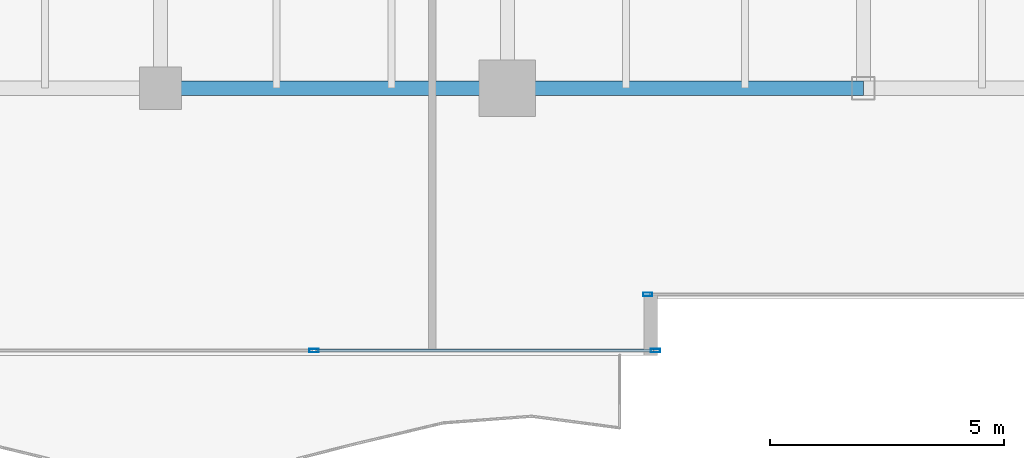
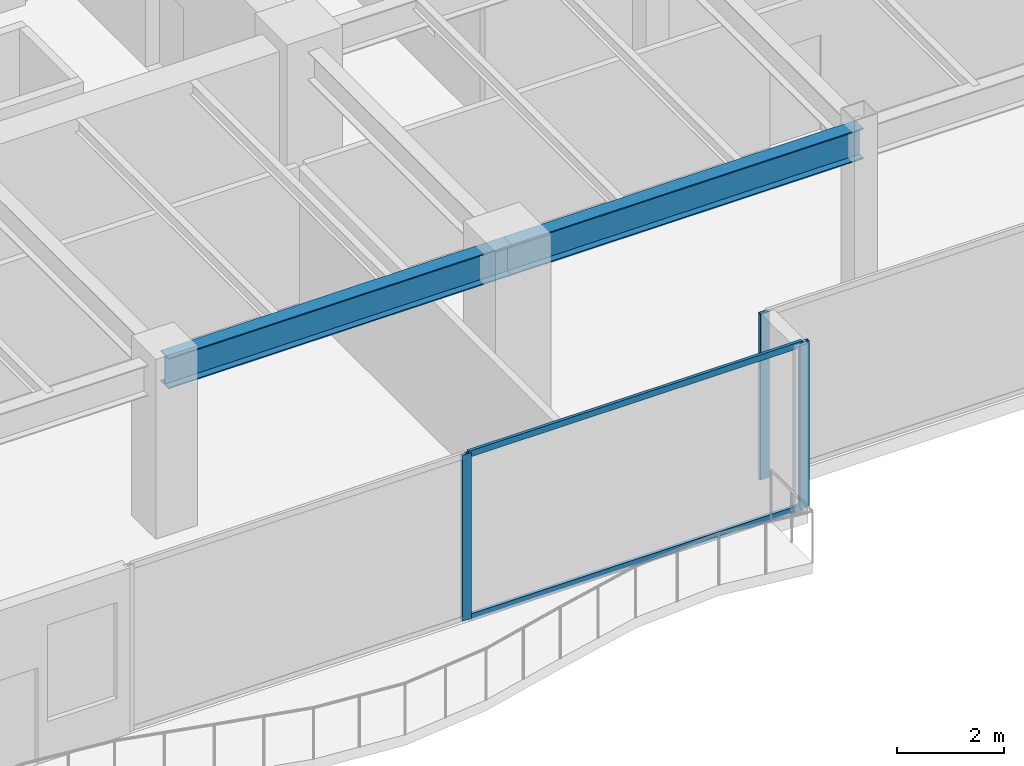
# One storey, part 4 of 30: 5 members, 2 beams, 2 elements without a shape of their own.
"""IFC4 building model written with IfcOpenShell, lengths in metres."""

from ifc_helpers import new_model, si_unit, direction, frame, origin, origin_2d, place, context, subcontext, project, spatial, hollow_rectangle, i_section, extrude, source, transform, mapped, material, layer, layer_set, material_profile, profile_set, type_object, type_shapes, element, aggregate, save


model = new_model("IFC4")

# Units and contexts
model_context = context("Model", 3, precision=1e-05, world=origin(), true_north=direction((0.0, 1.0)))
body_context = subcontext(model_context, "Body", "Model", "MODEL_VIEW")
ifc_project = project(units=[si_unit("LENGTHUNIT", "METRE"), si_unit("AREAUNIT", "SQUARE_METRE"), si_unit("VOLUMEUNIT", "CUBIC_METRE"), si_unit("PLANEANGLEUNIT", "RADIAN"), si_unit("MASSUNIT", "GRAM", prefix="KILO")], contexts=[model_context])

# Site, building, storey
site_placement = place(None, origin())
site = spatial("IfcSite", under=ifc_project, at=site_placement, CompositionType="ELEMENT")
building_placement = place(site_placement, origin())
building = spatial("IfcBuilding", under=site, at=building_placement, Name="Haelvirn Gate Laboratories", CompositionType="ELEMENT")
storey_placement = place(building_placement, frame((0.0, 0.0, 113.300048828125)))
storey = spatial("IfcBuildingStorey", under=building, at=storey_placement, Name="L27", CompositionType="ELEMENT", Elevation=113.300048828125)

# Beams
ifc_material_1 = material(Name="Steel SM355", Category="steel")
ifc_material_profile_1 = material_profile(ifc_material_1, i_section(OverallWidth=0.300048828125, OverallDepth=0.699951171875, WebThickness=0.012939453125, FlangeThickness=0.02392578125, at=origin_2d()), Name="H-700x300x13x24")
ifc_profile_set_1 = profile_set([ifc_material_profile_1], Name="Steel SM355")
beam_type = type_object("IfcBeamType", Name="BM-G-700", PredefinedType="BEAM", material=ifc_profile_set_1)
shared_shape_1 = source(origin(), body_context, "Body", "SweptSolid", [
    extrude(i_section(OverallWidth=0.300048828125, OverallDepth=0.699951171875, WebThickness=0.012939453125, FlangeThickness=0.02392578125, at=origin_2d()), origin(), (0.0, 0.0, 1.0), 7.39990234375),
])
beam_1_placement = place(storey_placement, frame((14.800048828125, 7.0, 3.43994140625), z_axis=(1.0, 0.0, 0.0), x_axis=(0.0, 1.0, 0.0)))
element("IfcBeam", 1, at=beam_1_placement, inside=storey, type_object=beam_type, Name="L27 Primary Girder Y7.0 (14.8-22.2)", PredefinedType="BEAM", context=body_context, shape_type="MappedRepresentation", body=[
    mapped(shared_shape_1, transform((0.0, 0.0, 0.0), scale=1.0)),
])
shared_shape_2 = source(origin(), body_context, "Body", "SweptSolid", [
    extrude(i_section(OverallWidth=0.300048828125, OverallDepth=0.699951171875, WebThickness=0.012939453125, FlangeThickness=0.02392578125, at=origin_2d()), origin(), (0.0, 0.0, 1.0), 7.60009765625),
])
type_shapes(beam_type, [shared_shape_1, shared_shape_2])
beam_2_placement = place(storey_placement, frame((22.199951171875, 7.0, 3.43994140625), z_axis=(1.0, 0.0, 0.0), x_axis=(0.0, 1.0, 0.0)))
element("IfcBeam", 2, at=beam_2_placement, inside=storey, type_object=beam_type, Name="L27 Primary Girder Y7.0 (22.2-29.8)", PredefinedType="BEAM", context=body_context, shape_type="MappedRepresentation", body=[
    mapped(shared_shape_2, transform((0.0, 0.0, 0.0), scale=1.0)),
])

# Curtain wall, members
ifc_material_2 = material(Name="Anodised bronze unitised aluminium & triple low-E glass", Category="aluminium")
ifc_layer = layer(ifc_material_2, 0.179931640625, Name="CW-SYS-3")
ifc_layer_set = layer_set([ifc_layer], Name="Anodised bronze unitised aluminium & triple low-E glass")
curtain_wall_type = type_object("IfcCurtainWallType", Name="CW-SYS-3", PredefinedType="NOTDEFINED", material=ifc_layer_set)
curtain_wall_1_placement = place(storey_placement, origin())
curtain_wall_1 = element("IfcCurtainWall", 3, at=curtain_wall_1_placement, inside=storey, type_object=curtain_wall_type, Name="L27 Unitised Curtain Wall CW-L27-P0-E00-2", PredefinedType="NOTDEFINED")
ifc_material_3 = material(Name="Extruded aluminium 6063-T6 (anodised bronze)", Category="aluminium")
ifc_material_profile_2 = material_profile(ifc_material_3, hollow_rectangle(XDim=0.074951171875, YDim=0.199951171875, WallThickness=0.0048828125, at=origin_2d()), Name="CWM-200x75x5")
ifc_profile_set_2 = profile_set([ifc_material_profile_2], Name="Extruded aluminium 6063-T6 (anodised bronze)")
member_type_1 = type_object("IfcMemberType", Name="CWM-T200", PredefinedType="MULLION", material=ifc_profile_set_2)
shared_shape_3 = source(origin(), body_context, "Body", "SweptSolid", [
    extrude(hollow_rectangle(XDim=0.074951171875, YDim=0.199951171875, WallThickness=0.0048828125, at=origin_2d()), origin(), (0.0, 0.0, 1.0), 3.7900390625),
])
type_shapes(member_type_1, [shared_shape_3])
member_1_placement = place(storey_placement, frame((18.074951171875, 1.39990234375, 0.0), z_axis=(0.0, 0.0, 1.0), x_axis=(0.0, 1.0, 0.0)))
member_1 = element("IfcMember", 4, at=member_1_placement, type_object=member_type_1, Name="CW3 mullion 2", PredefinedType="MULLION", context=body_context, shape_type="MappedRepresentation", body=[
    mapped(shared_shape_3, transform((0.0, 0.0, 0.0), scale=1.0)),
])
member_2_placement = place(storey_placement, frame((25.362548828125, 1.39990234375, 0.0), z_axis=(0.0, 0.0, 1.0), x_axis=(0.0, 1.0, 0.0)))
member_2 = element("IfcMember", 5, at=member_2_placement, type_object=member_type_1, Name="CW3 mullion 3", PredefinedType="MULLION", context=body_context, shape_type="MappedRepresentation", body=[
    mapped(shared_shape_3, transform((0.0, 0.0, 0.0), scale=1.0)),
])

# Curtain wall, member
curtain_wall_2_placement = place(storey_placement, origin())
curtain_wall_2 = element("IfcCurtainWall", 6, at=curtain_wall_2_placement, inside=storey, type_object=curtain_wall_type, Name="L27 Unitised Curtain Wall CW-L27-P0-E02-1", PredefinedType="NOTDEFINED")
member_3_placement = place(storey_placement, frame((25.197509765625, 2.60009765625, 0.0), z_axis=(0.0, 0.0, 1.0), x_axis=(0.0, 1.0, 0.0)))
member_3 = element("IfcMember", 7, at=member_3_placement, type_object=member_type_1, Name="CW3 mullion 1", PredefinedType="MULLION", context=body_context, shape_type="MappedRepresentation", body=[
    mapped(shared_shape_3, transform((0.0, 0.0, 0.0), scale=1.0)),
])
aggregate(curtain_wall_2, [member_3])

# Member
ifc_material_profile_3 = material_profile(ifc_material_3, hollow_rectangle(XDim=0.06494140625, YDim=0.139892578125, WallThickness=0.00390625, at=origin_2d()), Name="CWT-140x65x4")
ifc_profile_set_3 = profile_set([ifc_material_profile_3], Name="Extruded aluminium 6063-T6 (anodised bronze)")
member_type_2 = type_object("IfcMemberType", Name="CWT-T140", PredefinedType="USERDEFINED", material=ifc_profile_set_3)
shared_shape_4 = source(origin(), body_context, "Body", "SweptSolid", [
    extrude(hollow_rectangle(XDim=0.06494140625, YDim=0.139892578125, WallThickness=0.00390625, at=origin_2d()), origin(), (0.0, 0.0, 1.0), 7.21240234375),
])
type_shapes(member_type_2, [shared_shape_4])
member_4_placement = place(storey_placement, frame((18.112548828125, 1.39990234375, 0.032470703125), z_axis=(1.0, 0.0, 0.0), x_axis=(0.0, 1.0, 0.0)))
member_4 = element("IfcMember", 8, at=member_4_placement, type_object=member_type_2, Name="CW3 transom 2.1", ObjectType="TRANSOM", PredefinedType="USERDEFINED", context=body_context, shape_type="MappedRepresentation", body=[
    mapped(shared_shape_4, transform((0.0, 0.0, 0.0), scale=1.0)),
])

member_5_placement = place(storey_placement, frame((18.112548828125, 1.39990234375, 3.757568359375), z_axis=(1.0, 0.0, 0.0), x_axis=(0.0, 1.0, 0.0)))
member_5 = element("IfcMember", 9, at=member_5_placement, type_object=member_type_2, Name="CW3 transom 2.2", ObjectType="TRANSOM", PredefinedType="USERDEFINED", context=body_context, shape_type="MappedRepresentation", body=[
    mapped(shared_shape_4, transform((0.0, 0.0, 0.0), scale=1.0)),
])

aggregate(curtain_wall_1, [member_1, member_2, member_4, member_5])

save(model, "model.ifc")
